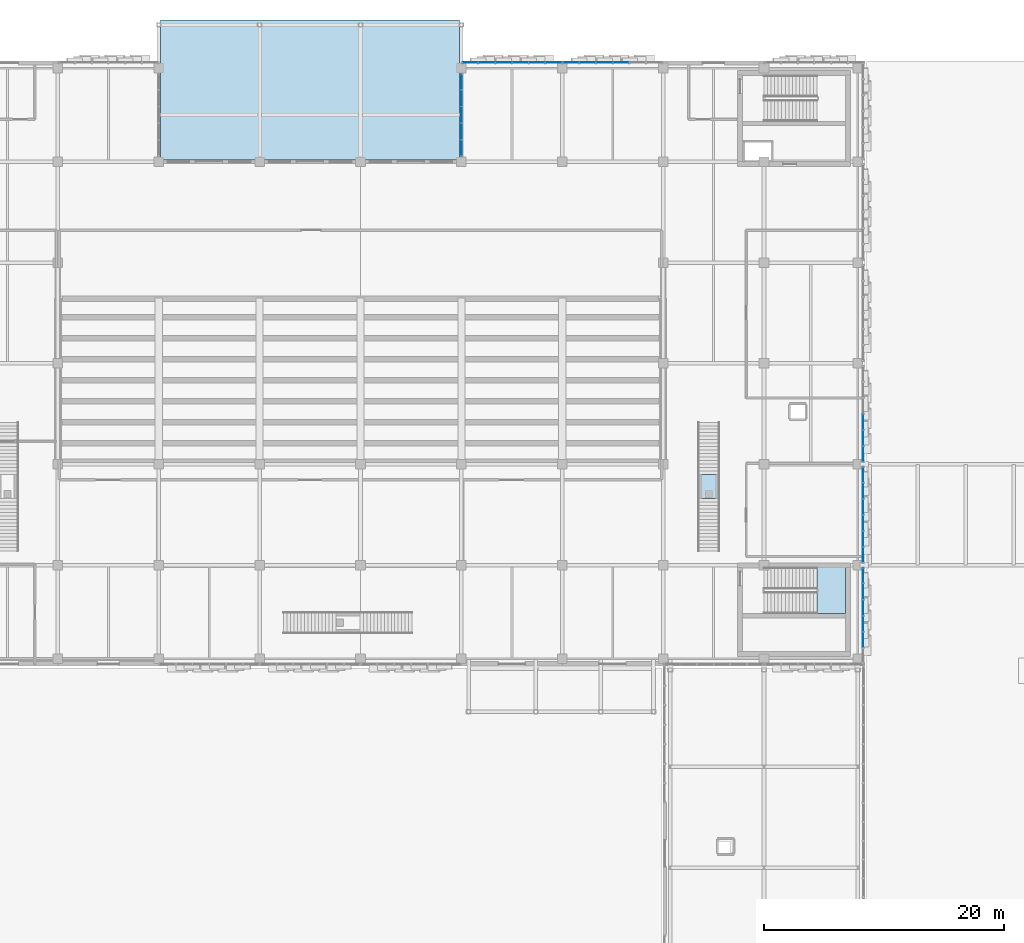
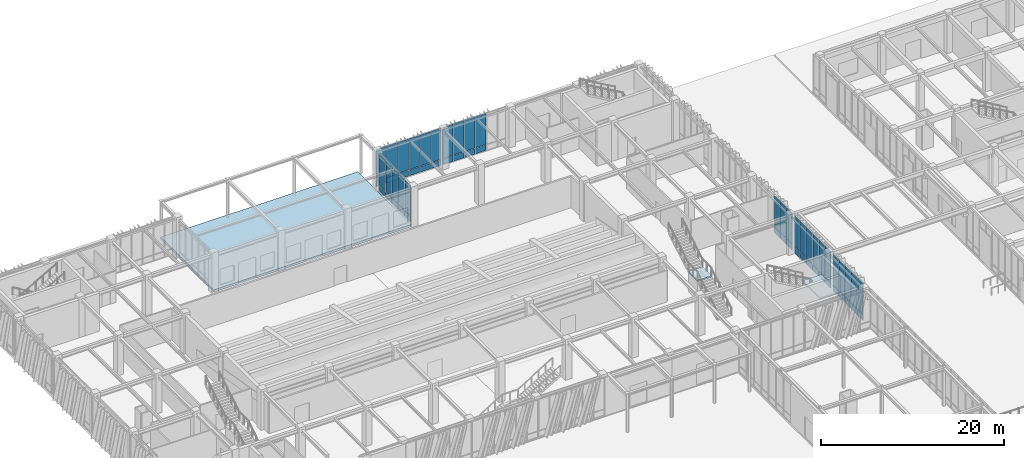
# One storey, part 85 of 122: 58 plates, 3 slabs, 8 elements without a shape of their own.
"""IFC4 building model written with IfcOpenShell, lengths in metres."""

from ifc_helpers import new_model, si_unit, direction, frame, origin, origin_2d, place, context, subcontext, project, spatial, polyline, rectangle, outline, extrude, material, layer, layer_set, type_object, element, aggregate, save


model = new_model("IFC4")

# Units and contexts
model_context = context("Model", 3, precision=1e-05, world=origin(), true_north=direction((0.0, 1.0)))
body_context = subcontext(model_context, "Body", "Model", "MODEL_VIEW")
ifc_project = project(units=[si_unit("LENGTHUNIT", "METRE"), si_unit("AREAUNIT", "SQUARE_METRE"), si_unit("VOLUMEUNIT", "CUBIC_METRE"), si_unit("PLANEANGLEUNIT", "RADIAN"), si_unit("MASSUNIT", "GRAM", prefix="KILO")], contexts=[model_context])

# Site, building, storey
site_placement = place(None, origin())
site = spatial("IfcSite", under=ifc_project, at=site_placement, CompositionType="ELEMENT")
building_placement = place(site_placement, origin())
building = spatial("IfcBuilding", under=site, at=building_placement, Name="Zayran Congress Hotel", CompositionType="ELEMENT")
storey_placement = place(building_placement, origin())
storey = spatial("IfcBuildingStorey", under=building, at=storey_placement, Name="L00", CompositionType="ELEMENT", Elevation=0.0)

# Slab
ifc_material_1 = material(Name="Concrete C32/40", Category="concrete")
ifc_layer_1 = layer(ifc_material_1, 0.320068359375)
ifc_layer_set_1 = layer_set([ifc_layer_1], Name="Concrete C32/40")
slab_type_1 = type_object("IfcSlabType", Name="SL-PD-320", PredefinedType="FLOOR", material=ifc_layer_set_1)
slab_1_placement = place(storey_placement, frame((0.0, 0.0, -0.320068359375)))
element("IfcSlab", 1, at=slab_1_placement, inside=storey, type_object=slab_type_1, Name="Outdoor North Avenue Recessed Foyer Plaza Paving Slab", PredefinedType="BASESLAB", context=body_context, shape_type="SweptSolid", body=[
    extrude(outline(polyline([(33.75, 109.75), (58.64990234375, 109.75), (58.64990234375, 121.39990234375), (33.75, 121.39990234375), (33.75, 109.75)])), origin(), (0.0, 0.0, 1.0), 0.320068359375),
])

# Curtain wall, plates
ifc_material_2 = material(Name="Anodised aluminium and low-E insulated glass", Category="aluminium")
ifc_layer_2 = layer(ifc_material_2, 0.179931640625)
ifc_layer_set_2 = layer_set([ifc_layer_2], Name="Anodised aluminium and low-E insulated glass")
curtain_wall_type_1 = type_object("IfcCurtainWallType", Name="CW-V1N-L00-CW-21-8360-5080", PredefinedType="USERDEFINED", material=ifc_layer_set_2)
curtain_wall_1_placement = place(storey_placement, origin())
curtain_wall_1 = element("IfcCurtainWall", 2, at=curtain_wall_1_placement, inside=storey, type_object=curtain_wall_type_1, Name="CW-V1N-L00-6", ObjectType="CURTAIN WALL", PredefinedType="USERDEFINED")
ifc_layer_3 = layer(ifc_material_2, 0.028076171875)
ifc_layer_set_3 = layer_set([ifc_layer_3], Name="Anodised aluminium and low-E insulated glass")
plate_type_1 = type_object("IfcPlateType", Name="CWP-GL-1273-4150", PredefinedType="CURTAIN_PANEL", material=ifc_layer_set_3)
plate_1_placement = place(storey_placement, frame((66.46337890625, 117.85009765625, 0.8701171875), z_axis=(0.0, 0.0, 1.0), x_axis=(1.0, 0.0, 0.0)))
plate_1 = element("IfcPlate", 3, at=plate_1_placement, type_object=plate_type_1, Name="CW-21 Glazed Panel 1", PredefinedType="CURTAIN_PANEL", context=body_context, shape_type="SweptSolid", body=[
    extrude(rectangle(XDim=1.273193359375, YDim=0.028076171875, at=origin_2d()), origin(), (0.0, 0.0, 1.0), 4.14990234375),
])
plate_2_placement = place(storey_placement, frame((65.090087890625, 117.85009765625, 0.8701171875), z_axis=(0.0, 0.0, 1.0), x_axis=(1.0, 0.0, 0.0)))
plate_2 = element("IfcPlate", 4, at=plate_2_placement, type_object=plate_type_1, Name="CW-21 Glazed Panel 2", PredefinedType="CURTAIN_PANEL", context=body_context, shape_type="SweptSolid", body=[
    extrude(rectangle(XDim=1.313232421875, YDim=0.028076171875, at=origin_2d()), origin(), (0.0, 0.0, 1.0), 4.14990234375),
])
plate_3_placement = place(storey_placement, frame((63.69677734375, 117.85009765625, 0.8701171875), z_axis=(0.0, 0.0, 1.0), x_axis=(1.0, 0.0, 0.0)))
plate_3 = element("IfcPlate", 5, at=plate_3_placement, type_object=plate_type_1, Name="CW-21 Glazed Panel 3", PredefinedType="CURTAIN_PANEL", context=body_context, shape_type="SweptSolid", body=[
    extrude(rectangle(XDim=1.313232421875, YDim=0.028076171875, at=origin_2d()), origin(), (0.0, 0.0, 1.0), 4.14990234375),
])
plate_4_placement = place(storey_placement, frame((62.30322265625, 117.85009765625, 0.8701171875), z_axis=(0.0, 0.0, 1.0), x_axis=(1.0, 0.0, 0.0)))
plate_4 = element("IfcPlate", 6, at=plate_4_placement, type_object=plate_type_1, Name="CW-21 Glazed Panel 4", PredefinedType="CURTAIN_PANEL", context=body_context, shape_type="SweptSolid", body=[
    extrude(rectangle(XDim=1.313232421875, YDim=0.028076171875, at=origin_2d()), origin(), (0.0, 0.0, 1.0), 4.14990234375),
])
plate_5_placement = place(storey_placement, frame((60.909912109375, 117.85009765625, 0.8701171875), z_axis=(0.0, 0.0, 1.0), x_axis=(1.0, 0.0, 0.0)))
plate_5 = element("IfcPlate", 7, at=plate_5_placement, type_object=plate_type_1, Name="CW-21 Glazed Panel 5", PredefinedType="CURTAIN_PANEL", context=body_context, shape_type="SweptSolid", body=[
    extrude(rectangle(XDim=1.313232421875, YDim=0.028076171875, at=origin_2d()), origin(), (0.0, 0.0, 1.0), 4.14990234375),
])
plate_6_placement = place(storey_placement, frame((59.53662109375, 117.85009765625, 0.8701171875), z_axis=(0.0, 0.0, 1.0), x_axis=(1.0, 0.0, 0.0)))
plate_6 = element("IfcPlate", 8, at=plate_6_placement, type_object=plate_type_1, Name="CW-21 Glazed Panel 6", PredefinedType="CURTAIN_PANEL", context=body_context, shape_type="SweptSolid", body=[
    extrude(rectangle(XDim=1.273193359375, YDim=0.028076171875, at=origin_2d()), origin(), (0.0, 0.0, 1.0), 4.14990234375),
])

ifc_layer_4 = layer(ifc_material_2, 0.179931640625)
ifc_layer_set_4 = layer_set([ifc_layer_4], Name="Anodised aluminium and low-E insulated glass")
curtain_wall_type_2 = type_object("IfcCurtainWallType", Name="CW-V1N-L00-CW-22-8360-5080", PredefinedType="USERDEFINED", material=ifc_layer_set_4)
curtain_wall_2_placement = place(storey_placement, origin())
curtain_wall_2 = element("IfcCurtainWall", 9, at=curtain_wall_2_placement, inside=storey, type_object=curtain_wall_type_2, Name="CW-V1N-L00-7", ObjectType="CURTAIN WALL", PredefinedType="USERDEFINED")
plate_7_placement = place(storey_placement, frame((72.0966796875, 117.85009765625, 0.8701171875), z_axis=(0.0, 0.0, 1.0), x_axis=(1.0, 0.0, 0.0)))
plate_7 = element("IfcPlate", 10, at=plate_7_placement, type_object=plate_type_1, Name="CW-22 Glazed Panel 3", PredefinedType="CURTAIN_PANEL", context=body_context, shape_type="SweptSolid", body=[
    extrude(rectangle(XDim=1.313232421875, YDim=0.028076171875, at=origin_2d()), origin(), (0.0, 0.0, 1.0), 4.14990234375),
])
plate_8_placement = place(storey_placement, frame((70.703369140625, 117.85009765625, 0.8701171875), z_axis=(0.0, 0.0, 1.0), x_axis=(1.0, 0.0, 0.0)))
plate_8 = element("IfcPlate", 11, at=plate_8_placement, type_object=plate_type_1, Name="CW-22 Glazed Panel 4", PredefinedType="CURTAIN_PANEL", context=body_context, shape_type="SweptSolid", body=[
    extrude(rectangle(XDim=1.313232421875, YDim=0.028076171875, at=origin_2d()), origin(), (0.0, 0.0, 1.0), 4.14990234375),
])
plate_9_placement = place(storey_placement, frame((69.31005859375, 117.85009765625, 0.8701171875), z_axis=(0.0, 0.0, 1.0), x_axis=(1.0, 0.0, 0.0)))
plate_9 = element("IfcPlate", 12, at=plate_9_placement, type_object=plate_type_1, Name="CW-22 Glazed Panel 5", PredefinedType="CURTAIN_PANEL", context=body_context, shape_type="SweptSolid", body=[
    extrude(rectangle(XDim=1.313232421875, YDim=0.028076171875, at=origin_2d()), origin(), (0.0, 0.0, 1.0), 4.14990234375),
])
plate_10_placement = place(storey_placement, frame((67.936767578125, 117.85009765625, 0.8701171875), z_axis=(0.0, 0.0, 1.0), x_axis=(1.0, 0.0, 0.0)))
plate_10 = element("IfcPlate", 13, at=plate_10_placement, type_object=plate_type_1, Name="CW-22 Glazed Panel 6", PredefinedType="CURTAIN_PANEL", context=body_context, shape_type="SweptSolid", body=[
    extrude(rectangle(XDim=1.273193359375, YDim=0.028076171875, at=origin_2d()), origin(), (0.0, 0.0, 1.0), 4.14990234375),
])

# Plate
ifc_material_3 = material(Name="Insulated warm bronze aluminium spandrel panel", Category="aluminium")
ifc_layer_5 = layer(ifc_material_3, 0.06005859375)
ifc_layer_set_5 = layer_set([ifc_layer_5], Name="Insulated warm bronze aluminium spandrel panel")
plate_type_2 = type_object("IfcPlateType", Name="CWP-SP-1273-750", PredefinedType="CURTAIN_PANEL", material=ifc_layer_set_5)
plate_11_placement = place(storey_placement, frame((66.46337890625, 117.85009765625, 0.06005859375), z_axis=(0.0, 0.0, 1.0), x_axis=(1.0, 0.0, 0.0)))
plate_11 = element("IfcPlate", 14, at=plate_11_placement, type_object=plate_type_2, Name="CW-21 Spandrel Panel 1", PredefinedType="CURTAIN_PANEL", context=body_context, shape_type="SweptSolid", body=[
    extrude(rectangle(XDim=1.273193359375, YDim=0.06005859375, at=origin_2d()), origin(), (0.0, 0.0, 1.0), 0.75),
])

plate_12_placement = place(storey_placement, frame((65.090087890625, 117.85009765625, 0.06005859375), z_axis=(0.0, 0.0, 1.0), x_axis=(1.0, 0.0, 0.0)))
plate_12 = element("IfcPlate", 15, at=plate_12_placement, type_object=plate_type_2, Name="CW-21 Spandrel Panel 2", PredefinedType="CURTAIN_PANEL", context=body_context, shape_type="SweptSolid", body=[
    extrude(rectangle(XDim=1.313232421875, YDim=0.06005859375, at=origin_2d()), origin(), (0.0, 0.0, 1.0), 0.75),
])

plate_13_placement = place(storey_placement, frame((63.69677734375, 117.85009765625, 0.06005859375), z_axis=(0.0, 0.0, 1.0), x_axis=(1.0, 0.0, 0.0)))
plate_13 = element("IfcPlate", 16, at=plate_13_placement, type_object=plate_type_2, Name="CW-21 Spandrel Panel 3", PredefinedType="CURTAIN_PANEL", context=body_context, shape_type="SweptSolid", body=[
    extrude(rectangle(XDim=1.313232421875, YDim=0.06005859375, at=origin_2d()), origin(), (0.0, 0.0, 1.0), 0.75),
])

plate_14_placement = place(storey_placement, frame((62.30322265625, 117.85009765625, 0.06005859375), z_axis=(0.0, 0.0, 1.0), x_axis=(1.0, 0.0, 0.0)))
plate_14 = element("IfcPlate", 17, at=plate_14_placement, type_object=plate_type_2, Name="CW-21 Spandrel Panel 4", PredefinedType="CURTAIN_PANEL", context=body_context, shape_type="SweptSolid", body=[
    extrude(rectangle(XDim=1.313232421875, YDim=0.06005859375, at=origin_2d()), origin(), (0.0, 0.0, 1.0), 0.75),
])

plate_15_placement = place(storey_placement, frame((60.909912109375, 117.85009765625, 0.06005859375), z_axis=(0.0, 0.0, 1.0), x_axis=(1.0, 0.0, 0.0)))
plate_15 = element("IfcPlate", 18, at=plate_15_placement, type_object=plate_type_2, Name="CW-21 Spandrel Panel 5", PredefinedType="CURTAIN_PANEL", context=body_context, shape_type="SweptSolid", body=[
    extrude(rectangle(XDim=1.313232421875, YDim=0.06005859375, at=origin_2d()), origin(), (0.0, 0.0, 1.0), 0.75),
])

plate_16_placement = place(storey_placement, frame((59.53662109375, 117.85009765625, 0.06005859375), z_axis=(0.0, 0.0, 1.0), x_axis=(1.0, 0.0, 0.0)))
plate_16 = element("IfcPlate", 19, at=plate_16_placement, type_object=plate_type_2, Name="CW-21 Spandrel Panel 6", PredefinedType="CURTAIN_PANEL", context=body_context, shape_type="SweptSolid", body=[
    extrude(rectangle(XDim=1.273193359375, YDim=0.06005859375, at=origin_2d()), origin(), (0.0, 0.0, 1.0), 0.75),
])

aggregate(curtain_wall_1, [plate_11, plate_1, plate_12, plate_2, plate_13, plate_3, plate_14, plate_4, plate_15, plate_5, plate_16, plate_6])

plate_17_placement = place(storey_placement, frame((72.0966796875, 117.85009765625, 0.06005859375), z_axis=(0.0, 0.0, 1.0), x_axis=(1.0, 0.0, 0.0)))
plate_17 = element("IfcPlate", 20, at=plate_17_placement, type_object=plate_type_2, Name="CW-22 Spandrel Panel 3", PredefinedType="CURTAIN_PANEL", context=body_context, shape_type="SweptSolid", body=[
    extrude(rectangle(XDim=1.313232421875, YDim=0.06005859375, at=origin_2d()), origin(), (0.0, 0.0, 1.0), 0.75),
])

plate_18_placement = place(storey_placement, frame((70.703369140625, 117.85009765625, 0.06005859375), z_axis=(0.0, 0.0, 1.0), x_axis=(1.0, 0.0, 0.0)))
plate_18 = element("IfcPlate", 21, at=plate_18_placement, type_object=plate_type_2, Name="CW-22 Spandrel Panel 4", PredefinedType="CURTAIN_PANEL", context=body_context, shape_type="SweptSolid", body=[
    extrude(rectangle(XDim=1.313232421875, YDim=0.06005859375, at=origin_2d()), origin(), (0.0, 0.0, 1.0), 0.75),
])

plate_19_placement = place(storey_placement, frame((69.31005859375, 117.85009765625, 0.06005859375), z_axis=(0.0, 0.0, 1.0), x_axis=(1.0, 0.0, 0.0)))
plate_19 = element("IfcPlate", 22, at=plate_19_placement, type_object=plate_type_2, Name="CW-22 Spandrel Panel 5", PredefinedType="CURTAIN_PANEL", context=body_context, shape_type="SweptSolid", body=[
    extrude(rectangle(XDim=1.313232421875, YDim=0.06005859375, at=origin_2d()), origin(), (0.0, 0.0, 1.0), 0.75),
])

plate_20_placement = place(storey_placement, frame((67.936767578125, 117.85009765625, 0.06005859375), z_axis=(0.0, 0.0, 1.0), x_axis=(1.0, 0.0, 0.0)))
plate_20 = element("IfcPlate", 23, at=plate_20_placement, type_object=plate_type_2, Name="CW-22 Spandrel Panel 6", PredefinedType="CURTAIN_PANEL", context=body_context, shape_type="SweptSolid", body=[
    extrude(rectangle(XDim=1.273193359375, YDim=0.06005859375, at=origin_2d()), origin(), (0.0, 0.0, 1.0), 0.75),
])

aggregate(curtain_wall_2, [plate_17, plate_7, plate_18, plate_8, plate_19, plate_9, plate_20, plate_10])

# Curtain wall, plates
ifc_layer_6 = layer(ifc_material_2, 0.179931640625)
ifc_layer_set_6 = layer_set([ifc_layer_6], Name="Anodised aluminium and low-E insulated glass")
curtain_wall_type_3 = type_object("IfcCurtainWallType", Name="CW-V1NE-L00-CW-25-6960-5080", PredefinedType="USERDEFINED", material=ifc_layer_set_6)
curtain_wall_3_placement = place(storey_placement, origin())
curtain_wall_3 = element("IfcCurtainWall", 24, at=curtain_wall_3_placement, inside=storey, type_object=curtain_wall_type_3, Name="CW-V1NE-L00", ObjectType="CURTAIN WALL", PredefinedType="USERDEFINED")
ifc_layer_7 = layer(ifc_material_2, 0.028076171875)
ifc_layer_set_7 = layer_set([ifc_layer_7], Name="Anodised aluminium and low-E insulated glass")
plate_type_3 = type_object("IfcPlateType", Name="CWP-GL-1272-4150", PredefinedType="CURTAIN_PANEL", material=ifc_layer_set_7)
plate_21_placement = place(storey_placement, frame((58.800048828125, 116.263916015625, 0.8701171875), z_axis=(0.0, 0.0, 1.0), x_axis=(0.0, 1.0, 0.0)))
plate_21 = element("IfcPlate", 25, at=plate_21_placement, type_object=plate_type_3, Name="CW-25 Glazed Panel 1", PredefinedType="CURTAIN_PANEL", context=body_context, shape_type="SweptSolid", body=[
    extrude(rectangle(XDim=1.27197265625, YDim=0.028076171875, at=origin_2d()), origin(), (0.0, 0.0, 1.0), 4.14990234375),
])
plate_22_placement = place(storey_placement, frame((58.800048828125, 114.89208984375, 0.8701171875), z_axis=(0.0, 0.0, 1.0), x_axis=(0.0, 1.0, 0.0)))
plate_22 = element("IfcPlate", 26, at=plate_22_placement, type_object=plate_type_3, Name="CW-25 Glazed Panel 2", PredefinedType="CURTAIN_PANEL", context=body_context, shape_type="SweptSolid", body=[
    extrude(rectangle(XDim=1.31201171875, YDim=0.028076171875, at=origin_2d()), origin(), (0.0, 0.0, 1.0), 4.14990234375),
])
plate_23_placement = place(storey_placement, frame((58.800048828125, 113.5, 0.8701171875), z_axis=(0.0, 0.0, 1.0), x_axis=(0.0, 1.0, 0.0)))
plate_23 = element("IfcPlate", 27, at=plate_23_placement, type_object=plate_type_3, Name="CW-25 Glazed Panel 3", PredefinedType="CURTAIN_PANEL", context=body_context, shape_type="SweptSolid", body=[
    extrude(rectangle(XDim=1.31201171875, YDim=0.028076171875, at=origin_2d()), origin(), (0.0, 0.0, 1.0), 4.14990234375),
])
plate_24_placement = place(storey_placement, frame((58.800048828125, 112.10791015625, 0.8701171875), z_axis=(0.0, 0.0, 1.0), x_axis=(0.0, 1.0, 0.0)))
plate_24 = element("IfcPlate", 28, at=plate_24_placement, type_object=plate_type_3, Name="CW-25 Glazed Panel 4", PredefinedType="CURTAIN_PANEL", context=body_context, shape_type="SweptSolid", body=[
    extrude(rectangle(XDim=1.31201171875, YDim=0.028076171875, at=origin_2d()), origin(), (0.0, 0.0, 1.0), 4.14990234375),
])
plate_25_placement = place(storey_placement, frame((58.800048828125, 110.736083984375, 0.8701171875), z_axis=(0.0, 0.0, 1.0), x_axis=(0.0, 1.0, 0.0)))
plate_25 = element("IfcPlate", 29, at=plate_25_placement, type_object=plate_type_3, Name="CW-25 Glazed Panel 5", PredefinedType="CURTAIN_PANEL", context=body_context, shape_type="SweptSolid", body=[
    extrude(rectangle(XDim=1.27197265625, YDim=0.028076171875, at=origin_2d()), origin(), (0.0, 0.0, 1.0), 4.14990234375),
])
ifc_layer_8 = layer(ifc_material_3, 0.06005859375)
ifc_layer_set_8 = layer_set([ifc_layer_8], Name="Insulated warm bronze aluminium spandrel panel")
plate_type_4 = type_object("IfcPlateType", Name="CWP-SP-1272-750", PredefinedType="CURTAIN_PANEL", material=ifc_layer_set_8)
plate_26_placement = place(storey_placement, frame((58.800048828125, 116.263916015625, 0.06005859375), z_axis=(0.0, 0.0, 1.0), x_axis=(0.0, 1.0, 0.0)))
plate_26 = element("IfcPlate", 30, at=plate_26_placement, type_object=plate_type_4, Name="CW-25 Spandrel Panel 1", PredefinedType="CURTAIN_PANEL", context=body_context, shape_type="SweptSolid", body=[
    extrude(rectangle(XDim=1.27197265625, YDim=0.06005859375, at=origin_2d()), origin(), (0.0, 0.0, 1.0), 0.75),
])
plate_27_placement = place(storey_placement, frame((58.800048828125, 114.89208984375, 0.06005859375), z_axis=(0.0, 0.0, 1.0), x_axis=(0.0, 1.0, 0.0)))
plate_27 = element("IfcPlate", 31, at=plate_27_placement, type_object=plate_type_4, Name="CW-25 Spandrel Panel 2", PredefinedType="CURTAIN_PANEL", context=body_context, shape_type="SweptSolid", body=[
    extrude(rectangle(XDim=1.31201171875, YDim=0.06005859375, at=origin_2d()), origin(), (0.0, 0.0, 1.0), 0.75),
])
plate_28_placement = place(storey_placement, frame((58.800048828125, 113.5, 0.06005859375), z_axis=(0.0, 0.0, 1.0), x_axis=(0.0, 1.0, 0.0)))
plate_28 = element("IfcPlate", 32, at=plate_28_placement, type_object=plate_type_4, Name="CW-25 Spandrel Panel 3", PredefinedType="CURTAIN_PANEL", context=body_context, shape_type="SweptSolid", body=[
    extrude(rectangle(XDim=1.31201171875, YDim=0.06005859375, at=origin_2d()), origin(), (0.0, 0.0, 1.0), 0.75),
])
plate_29_placement = place(storey_placement, frame((58.800048828125, 112.10791015625, 0.06005859375), z_axis=(0.0, 0.0, 1.0), x_axis=(0.0, 1.0, 0.0)))
plate_29 = element("IfcPlate", 33, at=plate_29_placement, type_object=plate_type_4, Name="CW-25 Spandrel Panel 4", PredefinedType="CURTAIN_PANEL", context=body_context, shape_type="SweptSolid", body=[
    extrude(rectangle(XDim=1.31201171875, YDim=0.06005859375, at=origin_2d()), origin(), (0.0, 0.0, 1.0), 0.75),
])
plate_30_placement = place(storey_placement, frame((58.800048828125, 110.736083984375, 0.06005859375), z_axis=(0.0, 0.0, 1.0), x_axis=(0.0, 1.0, 0.0)))
plate_30 = element("IfcPlate", 34, at=plate_30_placement, type_object=plate_type_4, Name="CW-25 Spandrel Panel 5", PredefinedType="CURTAIN_PANEL", context=body_context, shape_type="SweptSolid", body=[
    extrude(rectangle(XDim=1.27197265625, YDim=0.06005859375, at=origin_2d()), origin(), (0.0, 0.0, 1.0), 0.75),
])
aggregate(curtain_wall_3, [plate_26, plate_21, plate_27, plate_22, plate_28, plate_23, plate_29, plate_24, plate_30, plate_25])

ifc_layer_9 = layer(ifc_material_2, 0.179931640625)
ifc_layer_set_9 = layer_set([ifc_layer_9], Name="Anodised aluminium and low-E insulated glass")
curtain_wall_type_4 = type_object("IfcCurtainWallType", Name="CW-V1E-L00-CW-41-8040-5080", PredefinedType="USERDEFINED", material=ifc_layer_set_9)
curtain_wall_4_placement = place(storey_placement, origin())
curtain_wall_4 = element("IfcCurtainWall", 35, at=curtain_wall_4_placement, inside=storey, type_object=curtain_wall_type_4, Name="CW-V1E-L00-0", ObjectType="CURTAIN WALL", PredefinedType="USERDEFINED")
ifc_layer_10 = layer(ifc_material_2, 0.028076171875)
ifc_layer_set_10 = layer_set([ifc_layer_10], Name="Anodised aluminium and low-E insulated glass")
plate_type_5 = type_object("IfcPlateType", Name="CWP-GL-1220-4150", PredefinedType="CURTAIN_PANEL", material=ifc_layer_set_10)
plate_31_placement = place(storey_placement, frame((92.25, 69.7900390625, 0.8701171875), z_axis=(0.0, 0.0, 1.0), x_axis=(0.0, 1.0, 0.0)))
plate_31 = element("IfcPlate", 36, at=plate_31_placement, type_object=plate_type_5, Name="CW-41 Glazed Panel 2", PredefinedType="CURTAIN_PANEL", context=body_context, shape_type="SweptSolid", body=[
    extrude(rectangle(XDim=1.260009765625, YDim=0.028076171875, at=origin_2d()), origin(), (0.0, 0.0, 1.0), 4.14990234375),
])
plate_32_placement = place(storey_placement, frame((92.25, 71.1298828125, 0.8701171875), z_axis=(0.0, 0.0, 1.0), x_axis=(0.0, 1.0, 0.0)))
plate_32 = element("IfcPlate", 37, at=plate_32_placement, type_object=plate_type_5, Name="CW-41 Glazed Panel 3", PredefinedType="CURTAIN_PANEL", context=body_context, shape_type="SweptSolid", body=[
    extrude(rectangle(XDim=1.260009765625, YDim=0.028076171875, at=origin_2d()), origin(), (0.0, 0.0, 1.0), 4.14990234375),
])
plate_33_placement = place(storey_placement, frame((92.25, 72.469970703125, 0.8701171875), z_axis=(0.0, 0.0, 1.0), x_axis=(0.0, 1.0, 0.0)))
plate_33 = element("IfcPlate", 38, at=plate_33_placement, type_object=plate_type_5, Name="CW-41 Glazed Panel 4", PredefinedType="CURTAIN_PANEL", context=body_context, shape_type="SweptSolid", body=[
    extrude(rectangle(XDim=1.260009765625, YDim=0.028076171875, at=origin_2d()), origin(), (0.0, 0.0, 1.0), 4.14990234375),
])
plate_34_placement = place(storey_placement, frame((92.25, 73.81005859375, 0.8701171875), z_axis=(0.0, 0.0, 1.0), x_axis=(0.0, 1.0, 0.0)))
plate_34 = element("IfcPlate", 39, at=plate_34_placement, type_object=plate_type_5, Name="CW-41 Glazed Panel 5", PredefinedType="CURTAIN_PANEL", context=body_context, shape_type="SweptSolid", body=[
    extrude(rectangle(XDim=1.260009765625, YDim=0.028076171875, at=origin_2d()), origin(), (0.0, 0.0, 1.0), 4.14990234375),
])
plate_35_placement = place(storey_placement, frame((92.25, 75.1298828125, 0.8701171875), z_axis=(0.0, 0.0, 1.0), x_axis=(0.0, 1.0, 0.0)))
plate_35 = element("IfcPlate", 40, at=plate_35_placement, type_object=plate_type_5, Name="CW-41 Glazed Panel 6", PredefinedType="CURTAIN_PANEL", context=body_context, shape_type="SweptSolid", body=[
    extrude(rectangle(XDim=1.219970703125, YDim=0.028076171875, at=origin_2d()), origin(), (0.0, 0.0, 1.0), 4.14990234375),
])

ifc_layer_11 = layer(ifc_material_2, 0.179931640625)
ifc_layer_set_11 = layer_set([ifc_layer_11], Name="Anodised aluminium and low-E insulated glass")
curtain_wall_type_5 = type_object("IfcCurtainWallType", Name="CW-V1E-L00-CW-42-8040-5080", PredefinedType="USERDEFINED", material=ifc_layer_set_11)
curtain_wall_5_placement = place(storey_placement, origin())
curtain_wall_5 = element("IfcCurtainWall", 41, at=curtain_wall_5_placement, inside=storey, type_object=curtain_wall_type_5, Name="CW-V1E-L00-1", ObjectType="CURTAIN WALL", PredefinedType="USERDEFINED")
plate_36_placement = place(storey_placement, frame((92.25, 76.8701171875, 0.8701171875), z_axis=(0.0, 0.0, 1.0), x_axis=(0.0, 1.0, 0.0)))
plate_36 = element("IfcPlate", 42, at=plate_36_placement, type_object=plate_type_5, Name="CW-42 Glazed Panel 1", PredefinedType="CURTAIN_PANEL", context=body_context, shape_type="SweptSolid", body=[
    extrude(rectangle(XDim=1.219970703125, YDim=0.028076171875, at=origin_2d()), origin(), (0.0, 0.0, 1.0), 4.14990234375),
])
plate_37_placement = place(storey_placement, frame((92.25, 78.18994140625, 0.8701171875), z_axis=(0.0, 0.0, 1.0), x_axis=(0.0, 1.0, 0.0)))
plate_37 = element("IfcPlate", 43, at=plate_37_placement, type_object=plate_type_5, Name="CW-42 Glazed Panel 2", PredefinedType="CURTAIN_PANEL", context=body_context, shape_type="SweptSolid", body=[
    extrude(rectangle(XDim=1.260009765625, YDim=0.028076171875, at=origin_2d()), origin(), (0.0, 0.0, 1.0), 4.14990234375),
])
plate_38_placement = place(storey_placement, frame((92.25, 79.530029296875, 0.8701171875), z_axis=(0.0, 0.0, 1.0), x_axis=(0.0, 1.0, 0.0)))
plate_38 = element("IfcPlate", 44, at=plate_38_placement, type_object=plate_type_5, Name="CW-42 Glazed Panel 3", PredefinedType="CURTAIN_PANEL", context=body_context, shape_type="SweptSolid", body=[
    extrude(rectangle(XDim=1.260009765625, YDim=0.028076171875, at=origin_2d()), origin(), (0.0, 0.0, 1.0), 4.14990234375),
])
plate_39_placement = place(storey_placement, frame((92.25, 80.8701171875, 0.8701171875), z_axis=(0.0, 0.0, 1.0), x_axis=(0.0, 1.0, 0.0)))
plate_39 = element("IfcPlate", 45, at=plate_39_placement, type_object=plate_type_5, Name="CW-42 Glazed Panel 4", PredefinedType="CURTAIN_PANEL", context=body_context, shape_type="SweptSolid", body=[
    extrude(rectangle(XDim=1.260009765625, YDim=0.028076171875, at=origin_2d()), origin(), (0.0, 0.0, 1.0), 4.14990234375),
])
plate_40_placement = place(storey_placement, frame((92.25, 82.2099609375, 0.8701171875), z_axis=(0.0, 0.0, 1.0), x_axis=(0.0, 1.0, 0.0)))
plate_40 = element("IfcPlate", 46, at=plate_40_placement, type_object=plate_type_5, Name="CW-42 Glazed Panel 5", PredefinedType="CURTAIN_PANEL", context=body_context, shape_type="SweptSolid", body=[
    extrude(rectangle(XDim=1.260009765625, YDim=0.028076171875, at=origin_2d()), origin(), (0.0, 0.0, 1.0), 4.14990234375),
])
plate_41_placement = place(storey_placement, frame((92.25, 83.530029296875, 0.8701171875), z_axis=(0.0, 0.0, 1.0), x_axis=(0.0, 1.0, 0.0)))
plate_41 = element("IfcPlate", 47, at=plate_41_placement, type_object=plate_type_5, Name="CW-42 Glazed Panel 6", PredefinedType="CURTAIN_PANEL", context=body_context, shape_type="SweptSolid", body=[
    extrude(rectangle(XDim=1.219970703125, YDim=0.028076171875, at=origin_2d()), origin(), (0.0, 0.0, 1.0), 4.14990234375),
])

curtain_wall_6_placement = place(storey_placement, origin())
curtain_wall_6 = element("IfcCurtainWall", 48, at=curtain_wall_6_placement, inside=storey, type_object=curtain_wall_type_4, Name="CW-V1E-L00-2", ObjectType="CURTAIN WALL", PredefinedType="USERDEFINED")
plate_42_placement = place(storey_placement, frame((92.25, 85.27001953125, 0.8701171875), z_axis=(0.0, 0.0, 1.0), x_axis=(0.0, 1.0, 0.0)))
plate_42 = element("IfcPlate", 49, at=plate_42_placement, type_object=plate_type_5, Name="CW-41 Glazed Panel 1", PredefinedType="CURTAIN_PANEL", context=body_context, shape_type="SweptSolid", body=[
    extrude(rectangle(XDim=1.219970703125, YDim=0.028076171875, at=origin_2d()), origin(), (0.0, 0.0, 1.0), 4.14990234375),
])
plate_43_placement = place(storey_placement, frame((92.25, 86.590087890625, 0.8701171875), z_axis=(0.0, 0.0, 1.0), x_axis=(0.0, 1.0, 0.0)))
plate_43 = element("IfcPlate", 50, at=plate_43_placement, type_object=plate_type_5, Name="CW-41 Glazed Panel 2", PredefinedType="CURTAIN_PANEL", context=body_context, shape_type="SweptSolid", body=[
    extrude(rectangle(XDim=1.260009765625, YDim=0.028076171875, at=origin_2d()), origin(), (0.0, 0.0, 1.0), 4.14990234375),
])
plate_44_placement = place(storey_placement, frame((92.25, 87.929931640625, 0.8701171875), z_axis=(0.0, 0.0, 1.0), x_axis=(0.0, 1.0, 0.0)))
plate_44 = element("IfcPlate", 51, at=plate_44_placement, type_object=plate_type_5, Name="CW-41 Glazed Panel 3", PredefinedType="CURTAIN_PANEL", context=body_context, shape_type="SweptSolid", body=[
    extrude(rectangle(XDim=1.260009765625, YDim=0.028076171875, at=origin_2d()), origin(), (0.0, 0.0, 1.0), 4.14990234375),
])

# Plate
ifc_layer_12 = layer(ifc_material_3, 0.06005859375)
ifc_layer_set_12 = layer_set([ifc_layer_12], Name="Insulated warm bronze aluminium spandrel panel")
plate_type_6 = type_object("IfcPlateType", Name="CWP-SP-1220-750", PredefinedType="CURTAIN_PANEL", material=ifc_layer_set_12)
plate_45_placement = place(storey_placement, frame((92.25, 69.7900390625, 0.06005859375), z_axis=(0.0, 0.0, 1.0), x_axis=(0.0, 1.0, 0.0)))
plate_45 = element("IfcPlate", 52, at=plate_45_placement, type_object=plate_type_6, Name="CW-41 Spandrel Panel 2", PredefinedType="CURTAIN_PANEL", context=body_context, shape_type="SweptSolid", body=[
    extrude(rectangle(XDim=1.260009765625, YDim=0.06005859375, at=origin_2d()), origin(), (0.0, 0.0, 1.0), 0.75),
])

plate_46_placement = place(storey_placement, frame((92.25, 71.1298828125, 0.06005859375), z_axis=(0.0, 0.0, 1.0), x_axis=(0.0, 1.0, 0.0)))
plate_46 = element("IfcPlate", 53, at=plate_46_placement, type_object=plate_type_6, Name="CW-41 Spandrel Panel 3", PredefinedType="CURTAIN_PANEL", context=body_context, shape_type="SweptSolid", body=[
    extrude(rectangle(XDim=1.260009765625, YDim=0.06005859375, at=origin_2d()), origin(), (0.0, 0.0, 1.0), 0.75),
])

plate_47_placement = place(storey_placement, frame((92.25, 72.469970703125, 0.06005859375), z_axis=(0.0, 0.0, 1.0), x_axis=(0.0, 1.0, 0.0)))
plate_47 = element("IfcPlate", 54, at=plate_47_placement, type_object=plate_type_6, Name="CW-41 Spandrel Panel 4", PredefinedType="CURTAIN_PANEL", context=body_context, shape_type="SweptSolid", body=[
    extrude(rectangle(XDim=1.260009765625, YDim=0.06005859375, at=origin_2d()), origin(), (0.0, 0.0, 1.0), 0.75),
])

plate_48_placement = place(storey_placement, frame((92.25, 73.81005859375, 0.06005859375), z_axis=(0.0, 0.0, 1.0), x_axis=(0.0, 1.0, 0.0)))
plate_48 = element("IfcPlate", 55, at=plate_48_placement, type_object=plate_type_6, Name="CW-41 Spandrel Panel 5", PredefinedType="CURTAIN_PANEL", context=body_context, shape_type="SweptSolid", body=[
    extrude(rectangle(XDim=1.260009765625, YDim=0.06005859375, at=origin_2d()), origin(), (0.0, 0.0, 1.0), 0.75),
])

plate_49_placement = place(storey_placement, frame((92.25, 75.1298828125, 0.06005859375), z_axis=(0.0, 0.0, 1.0), x_axis=(0.0, 1.0, 0.0)))
plate_49 = element("IfcPlate", 56, at=plate_49_placement, type_object=plate_type_6, Name="CW-41 Spandrel Panel 6", PredefinedType="CURTAIN_PANEL", context=body_context, shape_type="SweptSolid", body=[
    extrude(rectangle(XDim=1.219970703125, YDim=0.06005859375, at=origin_2d()), origin(), (0.0, 0.0, 1.0), 0.75),
])

aggregate(curtain_wall_4, [plate_45, plate_31, plate_46, plate_32, plate_47, plate_33, plate_48, plate_34, plate_49, plate_35])

plate_50_placement = place(storey_placement, frame((92.25, 76.8701171875, 0.06005859375), z_axis=(0.0, 0.0, 1.0), x_axis=(0.0, 1.0, 0.0)))
plate_50 = element("IfcPlate", 57, at=plate_50_placement, type_object=plate_type_6, Name="CW-42 Spandrel Panel 1", PredefinedType="CURTAIN_PANEL", context=body_context, shape_type="SweptSolid", body=[
    extrude(rectangle(XDim=1.219970703125, YDim=0.06005859375, at=origin_2d()), origin(), (0.0, 0.0, 1.0), 0.75),
])

plate_51_placement = place(storey_placement, frame((92.25, 78.18994140625, 0.06005859375), z_axis=(0.0, 0.0, 1.0), x_axis=(0.0, 1.0, 0.0)))
plate_51 = element("IfcPlate", 58, at=plate_51_placement, type_object=plate_type_6, Name="CW-42 Spandrel Panel 2", PredefinedType="CURTAIN_PANEL", context=body_context, shape_type="SweptSolid", body=[
    extrude(rectangle(XDim=1.260009765625, YDim=0.06005859375, at=origin_2d()), origin(), (0.0, 0.0, 1.0), 0.75),
])

plate_52_placement = place(storey_placement, frame((92.25, 79.530029296875, 0.06005859375), z_axis=(0.0, 0.0, 1.0), x_axis=(0.0, 1.0, 0.0)))
plate_52 = element("IfcPlate", 59, at=plate_52_placement, type_object=plate_type_6, Name="CW-42 Spandrel Panel 3", PredefinedType="CURTAIN_PANEL", context=body_context, shape_type="SweptSolid", body=[
    extrude(rectangle(XDim=1.260009765625, YDim=0.06005859375, at=origin_2d()), origin(), (0.0, 0.0, 1.0), 0.75),
])

plate_53_placement = place(storey_placement, frame((92.25, 80.8701171875, 0.06005859375), z_axis=(0.0, 0.0, 1.0), x_axis=(0.0, 1.0, 0.0)))
plate_53 = element("IfcPlate", 60, at=plate_53_placement, type_object=plate_type_6, Name="CW-42 Spandrel Panel 4", PredefinedType="CURTAIN_PANEL", context=body_context, shape_type="SweptSolid", body=[
    extrude(rectangle(XDim=1.260009765625, YDim=0.06005859375, at=origin_2d()), origin(), (0.0, 0.0, 1.0), 0.75),
])

plate_54_placement = place(storey_placement, frame((92.25, 82.2099609375, 0.06005859375), z_axis=(0.0, 0.0, 1.0), x_axis=(0.0, 1.0, 0.0)))
plate_54 = element("IfcPlate", 61, at=plate_54_placement, type_object=plate_type_6, Name="CW-42 Spandrel Panel 5", PredefinedType="CURTAIN_PANEL", context=body_context, shape_type="SweptSolid", body=[
    extrude(rectangle(XDim=1.260009765625, YDim=0.06005859375, at=origin_2d()), origin(), (0.0, 0.0, 1.0), 0.75),
])

plate_55_placement = place(storey_placement, frame((92.25, 83.530029296875, 0.06005859375), z_axis=(0.0, 0.0, 1.0), x_axis=(0.0, 1.0, 0.0)))
plate_55 = element("IfcPlate", 62, at=plate_55_placement, type_object=plate_type_6, Name="CW-42 Spandrel Panel 6", PredefinedType="CURTAIN_PANEL", context=body_context, shape_type="SweptSolid", body=[
    extrude(rectangle(XDim=1.219970703125, YDim=0.06005859375, at=origin_2d()), origin(), (0.0, 0.0, 1.0), 0.75),
])

aggregate(curtain_wall_5, [plate_50, plate_36, plate_51, plate_37, plate_52, plate_38, plate_53, plate_39, plate_54, plate_40, plate_55, plate_41])

plate_56_placement = place(storey_placement, frame((92.25, 85.27001953125, 0.06005859375), z_axis=(0.0, 0.0, 1.0), x_axis=(0.0, 1.0, 0.0)))
plate_56 = element("IfcPlate", 63, at=plate_56_placement, type_object=plate_type_6, Name="CW-41 Spandrel Panel 1", PredefinedType="CURTAIN_PANEL", context=body_context, shape_type="SweptSolid", body=[
    extrude(rectangle(XDim=1.219970703125, YDim=0.06005859375, at=origin_2d()), origin(), (0.0, 0.0, 1.0), 0.75),
])

plate_57_placement = place(storey_placement, frame((92.25, 86.590087890625, 0.06005859375), z_axis=(0.0, 0.0, 1.0), x_axis=(0.0, 1.0, 0.0)))
plate_57 = element("IfcPlate", 64, at=plate_57_placement, type_object=plate_type_6, Name="CW-41 Spandrel Panel 2", PredefinedType="CURTAIN_PANEL", context=body_context, shape_type="SweptSolid", body=[
    extrude(rectangle(XDim=1.260009765625, YDim=0.06005859375, at=origin_2d()), origin(), (0.0, 0.0, 1.0), 0.75),
])

plate_58_placement = place(storey_placement, frame((92.25, 87.929931640625, 0.06005859375), z_axis=(0.0, 0.0, 1.0), x_axis=(0.0, 1.0, 0.0)))
plate_58 = element("IfcPlate", 65, at=plate_58_placement, type_object=plate_type_6, Name="CW-41 Spandrel Panel 3", PredefinedType="CURTAIN_PANEL", context=body_context, shape_type="SweptSolid", body=[
    extrude(rectangle(XDim=1.260009765625, YDim=0.06005859375, at=origin_2d()), origin(), (0.0, 0.0, 1.0), 0.75),
])

aggregate(curtain_wall_6, [plate_56, plate_42, plate_57, plate_43, plate_58, plate_44])

# Stair, slab
stair_type_1 = type_object("IfcStairType", Name="TP-STR-VOM", PredefinedType="STRAIGHT_RUN_STAIR", material=ifc_material_1)
stair_1_placement = place(storey_placement, origin())
stair_1 = element("IfcStair", 66, at=stair_1_placement, inside=storey, type_object=stair_type_1, Name="Straight Run Concourse Stair ST-VOM-02", PredefinedType="STRAIGHT_RUN_STAIR")
ifc_layer_13 = layer(ifc_material_1, 0.199951171875)
ifc_layer_set_13 = layer_set([ifc_layer_13], Name="Concrete C32/40")
slab_type_2 = type_object("IfcSlabType", Name="TP-LND-1600", PredefinedType="LANDING", material=ifc_layer_set_13)
slab_2_placement = place(storey_placement, frame((0.0, 0.0, 2.5)))
slab_2 = element("IfcSlab", 67, at=slab_2_placement, type_object=slab_type_2, Name="ST-VOM-02 landing 1", PredefinedType="LANDING", context=body_context, shape_type="SweptSolid", body=[
    extrude(outline(polyline([(80.300048828125, 81.550048828125), (80.300048828125, 83.550048828125), (78.5, 83.550048828125), (78.5, 81.550048828125), (80.300048828125, 81.550048828125)])), origin(), (0.0, 0.0, 1.0), 0.199951171875),
])
aggregate(stair_1, [slab_2])

stair_type_2 = type_object("IfcStairType", Name="TP-STR-1800-54", PredefinedType="USERDEFINED", material=ifc_material_1)
stair_2_placement = place(storey_placement, origin())
stair_2 = element("IfcStair", 68, at=stair_2_placement, inside=storey, type_object=stair_type_2, Name="L00 ST-06", ObjectType="TWO_RETURN_STAIR", PredefinedType="USERDEFINED")
ifc_layer_14 = layer(ifc_material_1, 0.199951171875)
ifc_layer_set_14 = layer_set([ifc_layer_14], Name="Concrete C32/40")
slab_type_3 = type_object("IfcSlabType", Name="TP-LND-1800", PredefinedType="LANDING", material=ifc_layer_set_14)
slab_3_placement = place(storey_placement, frame((0.0, 0.0, 2.5)))
slab_3 = element("IfcSlab", 69, at=slab_3_placement, type_object=slab_type_3, Name="ST-06 landing 1", PredefinedType="LANDING", context=body_context, shape_type="SweptSolid", body=[
    extrude(outline(polyline([(88.425048828125, 71.9599609375), (90.800048828125, 71.9599609375), (90.800048828125, 75.800048828125), (88.425048828125, 75.800048828125), (88.425048828125, 71.9599609375)])), origin(), (0.0, 0.0, 1.0), 0.199951171875),
])
aggregate(stair_2, [slab_3])

save(model, "model.ifc")
